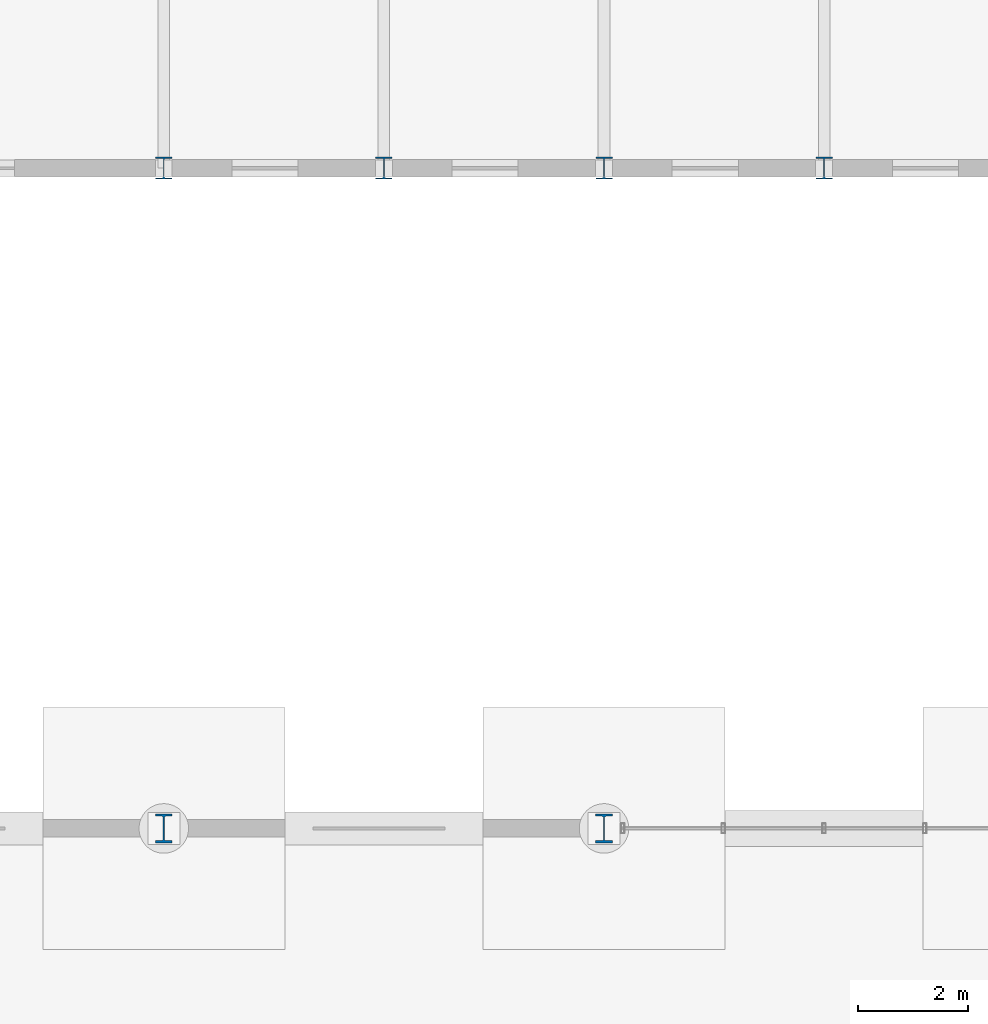
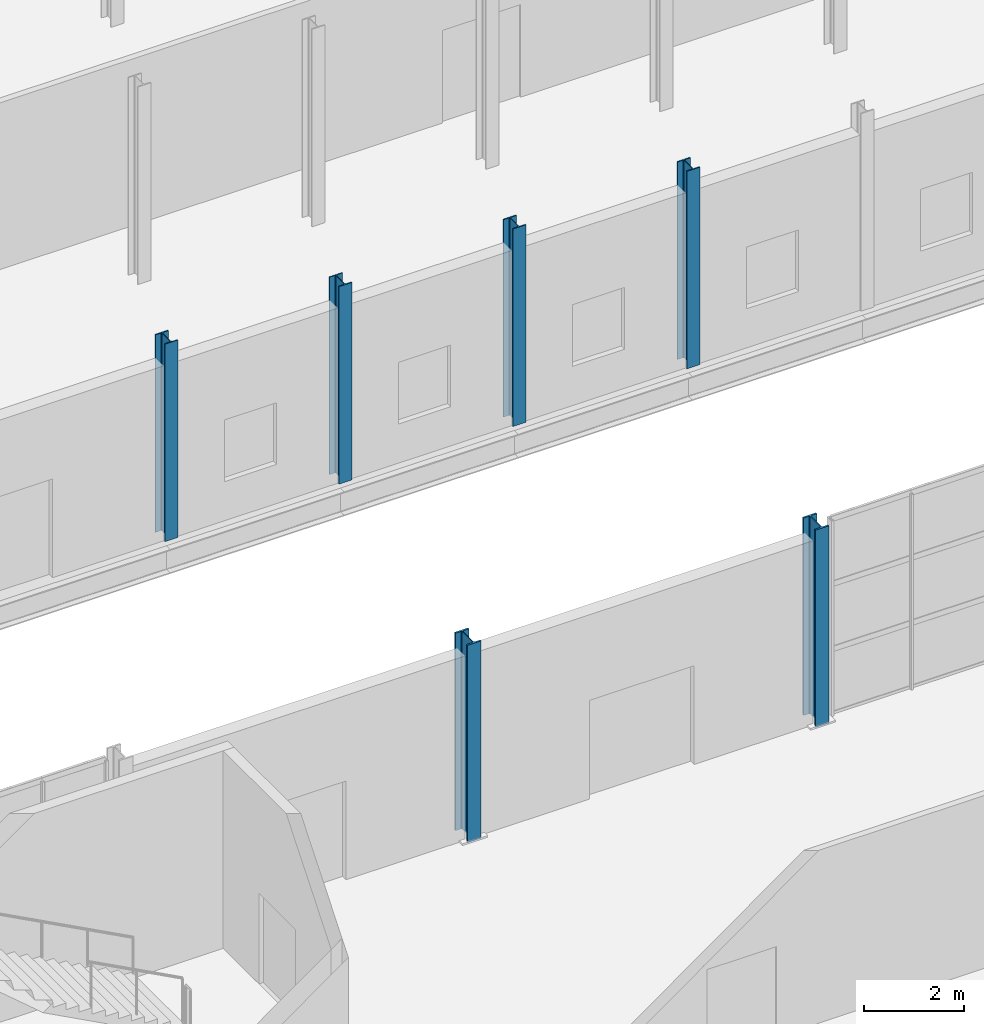
# One storey, part 16 of 101: 6 columns.
"""IFC4 building model written with IfcOpenShell, lengths in metres."""

from ifc_helpers import new_model, si_unit, derived_unit, direction, frame, origin, origin_2d, place, context, subcontext, project, spatial, i_section, extrude, material, material_profile, profile_set, type_object, element, save


model = new_model("IFC4")

# Units and contexts
model_context = context("Model", 3, precision=1e-05, world=origin(), true_north=direction((0.0, 1.0)))
body_context = subcontext(model_context, "Body", "Model", "MODEL_VIEW")
ifc_project = project(units=[si_unit("LENGTHUNIT", "METRE"), si_unit("AREAUNIT", "SQUARE_METRE"), si_unit("VOLUMEUNIT", "CUBIC_METRE"), si_unit("PLANEANGLEUNIT", "RADIAN"), si_unit("MASSUNIT", "GRAM", prefix="KILO"), derived_unit("THERMALTRANSMITTANCEUNIT", [(si_unit("POWERUNIT", "WATT"), 1), (si_unit("LENGTHUNIT", "METRE"), -2), (si_unit("THERMODYNAMICTEMPERATUREUNIT", "KELVIN"), -1)])], contexts=[model_context])

# Site, building, storey
site_placement = place(None, origin())
site = spatial("IfcSite", under=ifc_project, at=site_placement, CompositionType="ELEMENT")
building_placement = place(site_placement, origin())
building = spatial("IfcBuilding", under=site, at=building_placement, Name="Keldorne Ridge Multi-Sports Centre", CompositionType="ELEMENT")
storey_placement = place(building_placement, origin())
storey = spatial("IfcBuildingStorey", under=building, at=storey_placement, Name="L00", CompositionType="ELEMENT", Elevation=0.0)

# Columns
ifc_material = material(Name="Steel S355", Category="steel")
ifc_material_profile_1 = material_profile(ifc_material, i_section(OverallWidth=0.305908203125, OverallDepth=0.52392578125, WebThickness=0.02099609375, FlangeThickness=0.0400390625, FilletRadius=0.027099609375, at=origin_2d()), Name="HEM 500")
ifc_profile_set_1 = profile_set([ifc_material_profile_1], Name="Steel S355")
column_type_1 = type_object("IfcColumnType", Name="COL-C-04", PredefinedType="COLUMN", material=ifc_profile_set_1)
for number, where, z_axis, x_axis, name in (
    (1, (120.0, 54.0, 0.0), (0.0, 0.0, 1.0), (1.0, 0.0, 0.0), "Structural column V2-TRUSS-N-03 on L00"),
    (2, (128.0, 54.0, 0.0), (0.0, 0.0, 1.0), (1.0, 0.0, 0.0), "Structural column V2-TRUSS-N-04 on L00"),
):
    element("IfcColumn", number, at=place(storey_placement, frame(where, z_axis=z_axis, x_axis=x_axis)), inside=storey, type_object=column_type_1, Name=name, PredefinedType="COLUMN", context=body_context, shape_type="SweptSolid", body=[
        extrude(i_section(OverallWidth=0.305908203125, OverallDepth=0.52392578125, WebThickness=0.02099609375, FlangeThickness=0.0400390625, FilletRadius=0.027099609375, at=origin_2d()), origin(), (0.0, 0.0, 1.0), 4.800048828125),
    ])
ifc_material_profile_2 = material_profile(ifc_material, i_section(OverallWidth=0.300048828125, OverallDepth=0.39990234375, WebThickness=0.013427734375, FlangeThickness=0.02392578125, FilletRadius=0.027099609375, at=origin_2d()), Name="HEB 400")
ifc_profile_set_2 = profile_set([ifc_material_profile_2], Name="Steel S355")
column_type_2 = type_object("IfcColumnType", Name="COL-C-09", PredefinedType="COLUMN", material=ifc_profile_set_2)
for number, where, z_axis, x_axis, name in (
    (3, (120.0, 66.0, 0.0), (0.0, 0.0, 1.0), (1.0, 0.0, 0.0), "Structural column V5-C-03-01 on L00"),
    (4, (124.0, 66.0, 0.0), (0.0, 0.0, 1.0), (1.0, 0.0, 0.0), "Structural column V5-C-04-01 on L00"),
    (5, (128.0, 66.0, 0.0), (0.0, 0.0, 1.0), (1.0, 0.0, 0.0), "Structural column V5-C-05-01 on L00"),
    (6, (132.0, 66.0, 0.0), (0.0, 0.0, 1.0), (1.0, 0.0, 0.0), "Structural column V5-C-06-01 on L00"),
):
    element("IfcColumn", number, at=place(storey_placement, frame(where, z_axis=z_axis, x_axis=x_axis)), inside=storey, type_object=column_type_2, Name=name, PredefinedType="COLUMN", context=body_context, shape_type="SweptSolid", body=[
        extrude(i_section(OverallWidth=0.300048828125, OverallDepth=0.39990234375, WebThickness=0.013427734375, FlangeThickness=0.02392578125, FilletRadius=0.027099609375, at=origin_2d()), origin(), (0.0, 0.0, 1.0), 4.800048828125),
    ])

save(model, "model.ifc")
